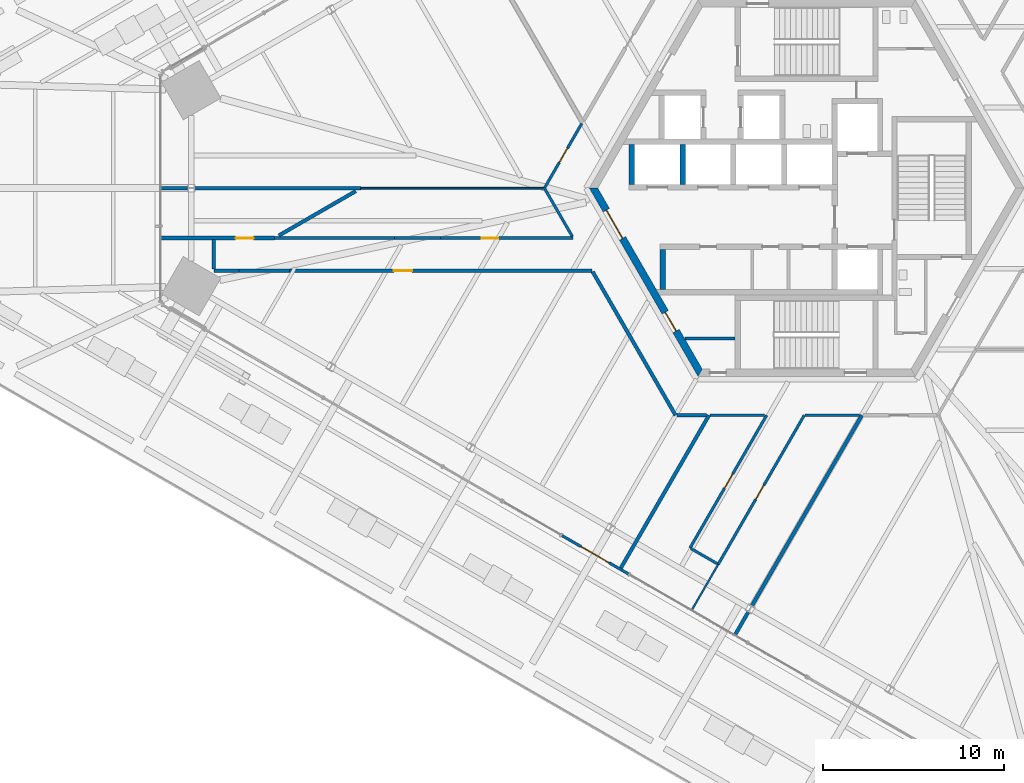
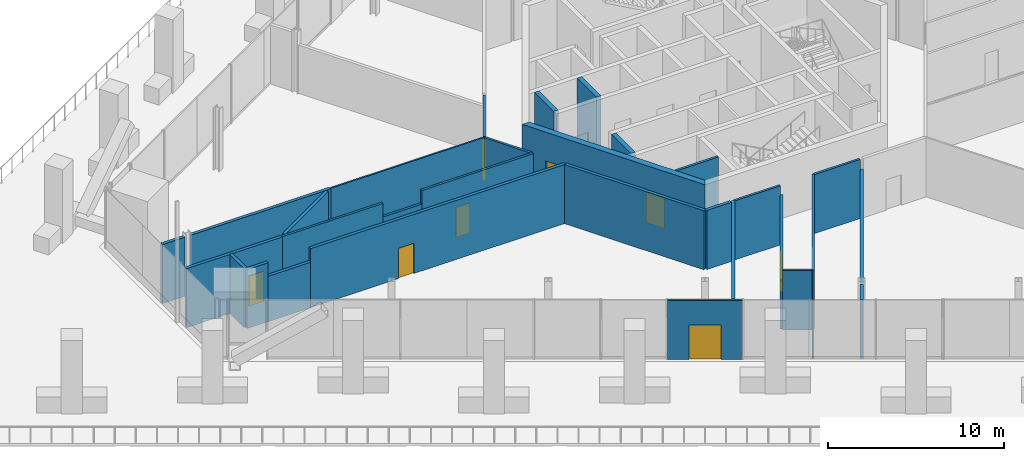
# One storey, part 26 of 38: 31 walls, 9 doors, 9 openings.
"""IFC4 building model written with IfcOpenShell, lengths in metres."""

from ifc_helpers import new_model, si_unit, direction, frame, frame_2d, origin, place, context, subcontext, project, spatial, polyline, rectangle, outline, extrude, source, transform, mapped, material, layer, layer_set, type_object, element, fill, save


model = new_model("IFC4")

# Units and contexts
model_context = context("Model", 3, precision=1e-05, world=origin(), true_north=direction((0.0, 1.0)))
body_context = subcontext(model_context, "Body", "Model", "MODEL_VIEW")
ifc_project = project(units=[si_unit("LENGTHUNIT", "METRE"), si_unit("AREAUNIT", "SQUARE_METRE"), si_unit("VOLUMEUNIT", "CUBIC_METRE"), si_unit("PLANEANGLEUNIT", "RADIAN"), si_unit("MASSUNIT", "GRAM", prefix="KILO")], contexts=[model_context])

# Site, building, storey
site_placement = place(None, origin())
site = spatial("IfcSite", under=ifc_project, at=site_placement, CompositionType="ELEMENT")
building_placement = place(site_placement, origin())
building = spatial("IfcBuilding", under=site, at=building_placement, Name="Triune Harvest Tower", CompositionType="ELEMENT")
storey_placement = place(building_placement, frame((0.0, 0.0, 16.0)))
storey = spatial("IfcBuildingStorey", under=building, at=storey_placement, Name="L03", CompositionType="ELEMENT", Elevation=16.0)

# Walls
ifc_material_1 = material(Name="Concrete masonry unit", Category="masonry")
ifc_layer_1 = layer(ifc_material_1, 0.14990234375)
ifc_layer_set_1 = layer_set([ifc_layer_1], Name="Concrete masonry unit")
wall_type_1 = type_object("IfcWallType", Name="Block partition 150", PredefinedType="PARTITIONING", material=ifc_layer_set_1)
wall_1_placement = place(storey_placement, frame((-6.72705078125, -8.300048828125, 0.0), z_axis=(0.0, 0.0, 1.0), x_axis=(1.0, 0.0, 0.0)))
element("IfcWall", 1, at=wall_1_placement, inside=storey, type_object=wall_type_1, Name="Sw part wall", PredefinedType="PARTITIONING", context=body_context, shape_type="SweptSolid", body=[
    extrude(rectangle(XDim=2.777099609375, YDim=0.14990234375, at=frame_2d((1.388671875, 0.0))), origin(), (0.0, 0.0, 1.0), 4.10009765625),
])
ifc_material_2 = material(Name="Gypsum board on steel studs", Category="steel")
ifc_layer_2 = layer(ifc_material_2, 0.14990234375)
ifc_layer_set_2 = layer_set([ifc_layer_2], Name="Gypsum board on steel studs")
wall_type_2 = type_object("IfcWallType", Name="Fire Partition 150 mm", PredefinedType="PARTITIONING", material=ifc_layer_set_2)
wall_2_placement = place(storey_placement, frame((-14.45751953125, -0.043212890625, 0.0), z_axis=(0.0, 0.0, 1.0), x_axis=(0.499971948444, -0.866041598752, 0.0)))
element("IfcWall", 2, at=wall_2_placement, inside=storey, type_object=wall_type_2, Name="Partition L03 001", PredefinedType="PARTITIONING", context=body_context, shape_type="SweptSolid", body=[
    extrude(rectangle(XDim=3.021240234375, YDim=0.14990234375, at=frame_2d((1.5107421875, 0.0))), origin(), (0.0, 0.0, 1.0), 4.10009765625),
])
wall_3_placement = place(storey_placement, frame((-6.39990234375, -19.89501953125, 0.0), z_axis=(0.0, 0.0, 1.0), x_axis=(0.866038843867, -0.499976720371, 0.0)))
element("IfcWall", 3, at=wall_3_placement, inside=storey, type_object=wall_type_2, Name="Partition L03 017", PredefinedType="PARTITIONING", context=body_context, shape_type="SweptSolid", body=[
    extrude(rectangle(XDim=1.68994140625, YDim=0.14990234375, at=frame_2d((0.844970703125, 0.0))), origin(), (0.0, 0.0, 1.0), 4.10009765625),
])
wall_4_placement = place(storey_placement, frame((-29.384033203125, -2.7548828125, 0.0), z_axis=(0.0, 0.0, 1.0), x_axis=(1.0, 0.0, 0.0)))
element("IfcWall", 4, at=wall_4_placement, inside=storey, type_object=wall_type_2, Name="Partition L03 030", PredefinedType="PARTITIONING", context=body_context, shape_type="SweptSolid", body=[
    extrude(rectangle(XDim=6.62109375, YDim=0.14990234375, at=frame_2d((3.310546875, 0.0))), origin(), (0.0, 0.0, 1.0), 4.10009765625),
])

# Wall, opening, door
wall_5_placement = place(storey_placement, frame((-20.210205078125, -2.7548828125, 0.0), z_axis=(0.0, 0.0, 1.0), x_axis=(1.0, 0.0, 0.0)))
wall_5 = element("IfcWall", 5, at=wall_5_placement, inside=storey, type_object=wall_type_2, Name="Partition L03 030b", PredefinedType="PARTITIONING", context=body_context, shape_type="SweptSolid", body=[
    extrude(rectangle(XDim=7.318115234375, YDim=0.14990234375, at=frame_2d((3.6591796875, 0.0))), origin(), (0.0, 0.0, 1.0), 4.10009765625),
])
opening_1_placement = place(wall_5_placement, frame((2.268310546875, 0.0, 0.0)))
opening_1 = element("IfcOpeningElement", 6, at=opening_1_placement, cuts=wall_5, Name="Opening L03-016", PredefinedType="OPENING", context=body_context, shape_type="SweptSolid", body=[
    extrude(rectangle(XDim=0.89990234375, YDim=2.10009765625, at=frame_2d((0.449951171875, 1.050048828125))), frame((0.0, 0.0849609375, 0.0), z_axis=(0.0, -1.0, 0.0), x_axis=(1.0, 0.0, 0.0)), (0.0, 0.0, 1.0), 0.169921875),
])
ifc_material_3 = material(Name="Timber and steel door set", Category="steel")
door_type_1 = type_object("IfcDoorType", Name="Single leaf door FD30 right hand 900 x 2100", OperationType="SINGLE_SWING_RIGHT", PredefinedType="DOOR", material=ifc_material_3)
door_1_placement = place(opening_1_placement, origin())
door_1 = element("IfcDoor", 7, at=door_1_placement, inside=storey, type_object=door_type_1, Name="Door L03-016 Dry Store Room 03.16", OperationType="SINGLE_SWING_RIGHT", OverallHeight=2.10009765625, OverallWidth=0.89990234375, PredefinedType="DOOR", context=body_context, shape_type="SweptSolid", body=[
    extrude(rectangle(XDim=0.89990234375, YDim=2.10009765625, at=frame_2d((0.449951171875, 1.050048828125))), frame((0.0, 0.02490234375, 0.0), z_axis=(0.0, -1.0, 0.0), x_axis=(1.0, 0.0, 0.0)), (0.0, 0.0, 1.0), 0.050048828125),
])
fill(opening_1, door_1)

wall_6_placement = place(storey_placement, frame((-4.884521484375, -20.77001953125, 0.0), z_axis=(0.0, 0.0, 1.0), x_axis=(0.499994576128, 0.866028535236, 0.0)))
wall_6 = element("IfcWall", 8, at=wall_6_placement, inside=storey, type_object=wall_type_2, Name="Partition L03 048", PredefinedType="PARTITIONING", context=body_context, shape_type="SweptSolid", body=[
    extrude(rectangle(XDim=9.50048828125, YDim=0.14990234375, at=frame_2d((4.750244140625, 0.0))), origin(), (0.0, 0.0, 1.0), 4.10009765625),
])
opening_2_placement = place(wall_6_placement, frame((4.139892578125, 0.0, 0.0)))
opening_2 = element("IfcOpeningElement", 9, at=opening_2_placement, cuts=wall_6, Name="Opening L03-019", PredefinedType="OPENING", context=body_context, shape_type="SweptSolid", body=[
    extrude(rectangle(XDim=0.89990234375, YDim=2.10009765625, at=frame_2d((0.449951171875, 1.050048828125))), frame((0.0, 0.0849609375, 0.0), z_axis=(0.0, -1.0, 0.0), x_axis=(1.0, 0.0, 0.0)), (0.0, 0.0, 1.0), 0.169921875),
])
door_2_placement = place(opening_2_placement, origin())
door_2 = element("IfcDoor", 10, at=door_2_placement, inside=storey, type_object=door_type_1, Name="Door L03-019 Packing Room 03.19", OperationType="SINGLE_SWING_RIGHT", OverallHeight=2.10009765625, OverallWidth=0.89990234375, PredefinedType="DOOR", context=body_context, shape_type="SweptSolid", body=[
    extrude(rectangle(XDim=0.89990234375, YDim=2.10009765625, at=frame_2d((0.449951171875, 1.050048828125))), frame((0.0, 0.02490234375, 0.0), z_axis=(0.0, -1.0, 0.0), x_axis=(1.0, 0.0, 0.0)), (0.0, 0.0, 1.0), 0.050048828125),
])
fill(opening_2, door_2)

wall_7_placement = place(storey_placement, frame((-6.44384765625, -19.86962890625, 0.0), z_axis=(0.0, 0.0, 1.0), x_axis=(0.500008851346, 0.866020293397, 0.0)))
wall_7 = element("IfcWall", 11, at=wall_7_placement, inside=storey, type_object=wall_type_2, Name="Partition L03 050", PredefinedType="PARTITIONING", context=body_context, shape_type="SweptSolid", body=[
    extrude(rectangle(XDim=8.461181640625, YDim=0.14990234375, at=frame_2d((4.23046875, 0.0))), origin(), (0.0, 0.0, 1.0), 3.416748046875),
])
opening_3_placement = place(wall_7_placement, frame((3.811279296875, 0.0, 0.0)))
opening_3 = element("IfcOpeningElement", 12, at=opening_3_placement, cuts=wall_7, Name="Opening L03-018", PredefinedType="OPENING", context=body_context, shape_type="SweptSolid", body=[
    extrude(rectangle(XDim=0.89990234375, YDim=2.10009765625, at=frame_2d((0.449951171875, 1.050048828125))), frame((0.0, 0.0849609375, 0.0), z_axis=(0.0, -1.0, 0.0), x_axis=(1.0, 0.0, 0.0)), (0.0, 0.0, 1.0), 0.169921875),
])
door_3_placement = place(opening_3_placement, origin())
door_3 = element("IfcDoor", 13, at=door_3_placement, inside=storey, type_object=door_type_1, Name="Door L03-018 Dry Store Room 03.18", OperationType="SINGLE_SWING_RIGHT", OverallHeight=2.10009765625, OverallWidth=0.89990234375, PredefinedType="DOOR", context=body_context, shape_type="SweptSolid", body=[
    extrude(rectangle(XDim=0.89990234375, YDim=2.10009765625, at=frame_2d((0.449951171875, 1.050048828125))), frame((0.0, 0.02490234375, 0.0), z_axis=(0.0, -1.0, 0.0), x_axis=(1.0, 0.0, 0.0)), (0.0, 0.0, 1.0), 0.050048828125),
])
fill(opening_3, door_3)

wall_8_placement = place(storey_placement, frame((-14.47265625, 0.01708984375, 0.0), z_axis=(0.0, 0.0, 1.0), x_axis=(0.500022314862, 0.866012519909, 0.0)))
wall_8 = element("IfcWall", 14, at=wall_8_placement, inside=storey, type_object=wall_type_2, Name="Partition L03 057", PredefinedType="PARTITIONING", context=body_context, shape_type="SweptSolid", body=[
    extrude(rectangle(XDim=4.111083984375, YDim=0.14990234375, at=frame_2d((2.0556640625, 0.0))), origin(), (0.0, 0.0, 1.0), 4.10009765625),
])
opening_4_placement = place(wall_8_placement, frame((1.62451171875, 0.0, 0.0)))
opening_4 = element("IfcOpeningElement", 15, at=opening_4_placement, cuts=wall_8, Name="Opening L03-014", PredefinedType="OPENING", context=body_context, shape_type="SweptSolid", body=[
    extrude(rectangle(XDim=0.89990234375, YDim=2.10009765625, at=frame_2d((0.449951171875, 1.050048828125))), frame((0.0, 0.0849609375, 0.0), z_axis=(0.0, -1.0, 0.0), x_axis=(1.0, 0.0, 0.0)), (0.0, 0.0, 1.0), 0.169921875),
])
ifc_material_4 = material(Name="Timber and steel door set", Category="steel")
door_type_2 = type_object("IfcDoorType", Name="Single leaf door FD30 left hand 900 x 2100", OperationType="SINGLE_SWING_LEFT", PredefinedType="DOOR", material=ifc_material_4)
door_4_placement = place(opening_4_placement, origin())
door_4 = element("IfcDoor", 16, at=door_4_placement, inside=storey, type_object=door_type_2, Name="Door L03-014 Cold Store 03.14", OperationType="SINGLE_SWING_LEFT", OverallHeight=2.10009765625, OverallWidth=0.89990234375, PredefinedType="DOOR", context=body_context, shape_type="SweptSolid", body=[
    extrude(rectangle(XDim=0.89990234375, YDim=2.10009765625, at=frame_2d((0.449951171875, 1.050048828125))), frame((0.0, 0.02490234375, 0.0), z_axis=(0.0, -1.0, 0.0), x_axis=(1.0, 0.0, 0.0)), (0.0, 0.0, 1.0), 0.050048828125),
])
fill(opening_4, door_4)

# Walls
ifc_material_5 = material(Name="Gypsum board on steel studs", Category="steel")
ifc_layer_3 = layer(ifc_material_5, 0.199951171875)
ifc_layer_set_3 = layer_set([ifc_layer_3], Name="Gypsum board on steel studs")
wall_type_3 = type_object("IfcWallType", Name="Fire Wall 200 mm", PredefinedType="PARTITIONING", material=ifc_layer_set_3)
wall_9_placement = place(storey_placement, frame((-11.81787109375, -4.615478515625, 0.0), z_axis=(0.0, 0.0, 1.0), x_axis=(0.500011831956, -0.866018572493, 0.0)))
element("IfcWall", 17, at=wall_9_placement, inside=storey, type_object=wall_type_3, Name="Partition L03 002", PredefinedType="PARTITIONING", context=body_context, shape_type="SweptSolid", body=[
    extrude(rectangle(XDim=9.153076171875, YDim=0.199951171875, at=frame_2d((4.57666015625, 0.0))), origin(), (0.0, 0.0, 1.0), 4.10009765625),
])
wall_10_placement = place(storey_placement, frame((-7.17138671875, -12.542236328125, 0.0), z_axis=(0.0, 0.0, 1.0), x_axis=(1.0, 0.0, 0.0)))
element("IfcWall", 18, at=wall_10_placement, inside=storey, type_object=wall_type_3, Name="Partition L03 021", PredefinedType="PARTITIONING", context=body_context, shape_type="SweptSolid", body=[
    extrude(rectangle(XDim=1.631103515625, YDim=0.199951171875, at=frame_2d((0.8154296875, 0.0))), origin(), (0.0, 0.0, 1.0), 4.10009765625),
])
wall_11_placement = place(storey_placement, frame((-32.738525390625, -4.554931640625, 0.0), z_axis=(0.0, 0.0, 1.0), x_axis=(1.0, 0.0, 0.0)))
element("IfcWall", 19, at=wall_11_placement, inside=storey, type_object=wall_type_3, Name="Partition L03 027", PredefinedType="PARTITIONING", context=body_context, shape_type="SweptSolid", body=[
    extrude(rectangle(XDim=1.3818359375, YDim=0.199951171875, at=frame_2d((0.69091796875, 0.0))), origin(), (0.0, 0.0, 1.0), 4.10009765625),
])
wall_12_placement = place(storey_placement, frame((-31.356689453125, -4.554931640625, 0.0), z_axis=(0.0, 0.0, 1.0), x_axis=(1.0, 0.0, 0.0)))
element("IfcWall", 20, at=wall_12_placement, inside=storey, type_object=wall_type_3, Name="Partition L03 027a", PredefinedType="PARTITIONING", context=body_context, shape_type="SweptSolid", body=[
    extrude(rectangle(XDim=2.7880859375, YDim=0.199951171875, at=frame_2d((1.39404296875, 0.0))), origin(), (0.0, 0.0, 1.0), 3.15771484375),
])

# Wall, opening, door
wall_13_placement = place(storey_placement, frame((-28.568603515625, -4.554931640625, 0.0), z_axis=(0.0, 0.0, 1.0), x_axis=(1.0, 0.0, 0.0)))
wall_13 = element("IfcWall", 21, at=wall_13_placement, inside=storey, type_object=wall_type_3, Name="Partition L03 027b", PredefinedType="PARTITIONING", context=body_context, shape_type="SweptSolid", body=[
    extrude(rectangle(XDim=16.7158203125, YDim=0.199951171875, at=frame_2d((8.35791015625, 0.0))), origin(), (0.0, 0.0, 1.0), 4.10009765625),
])
opening_5_placement = place(wall_13_placement, frame((5.77880859375, 0.0, 0.0)))
opening_5 = element("IfcOpeningElement", 22, at=opening_5_placement, cuts=wall_13, Name="Opening L03-017", PredefinedType="OPENING", context=body_context, shape_type="SweptSolid", body=[
    extrude(rectangle(XDim=1.0, YDim=2.10009765625, at=frame_2d((0.5, 1.050048828125))), frame((0.0, 0.10986328125, 0.0), z_axis=(0.0, -1.0, 0.0), x_axis=(1.0, 0.0, 0.0)), (0.0, 0.0, 1.0), 0.219970703125),
])
ifc_material_6 = material(Name="Timber and steel door set", Category="steel")
door_type_3 = type_object("IfcDoorType", Name="Wide single leaf door FD60 left hand 1000 x 2100", OperationType="SINGLE_SWING_LEFT", PredefinedType="DOOR", material=ifc_material_6)
door_5_placement = place(opening_5_placement, origin())
door_5 = element("IfcDoor", 23, at=door_5_placement, inside=storey, type_object=door_type_3, Name="Door L03-017 Growing Room 03.17", OperationType="SINGLE_SWING_LEFT", OverallHeight=2.10009765625, OverallWidth=1.0, PredefinedType="DOOR", context=body_context, shape_type="SweptSolid", body=[
    extrude(rectangle(XDim=1.0, YDim=2.10009765625, at=frame_2d((0.5, 1.050048828125))), frame((0.0, 0.02490234375, 0.0), z_axis=(0.0, -1.0, 0.0), x_axis=(1.0, 0.0, 0.0)), (0.0, 0.0, 1.0), 0.050048828125),
])
fill(opening_5, door_5)

wall_14_placement = place(storey_placement, frame((-35.680419921875, -2.7548828125, 0.0), z_axis=(0.0, 0.0, 1.0), x_axis=(1.0, 0.0, 0.0)))
wall_14 = element("IfcWall", 24, at=wall_14_placement, inside=storey, type_object=wall_type_3, Name="Partition L03 029", PredefinedType="PARTITIONING", context=body_context, shape_type="SweptSolid", body=[
    extrude(rectangle(XDim=6.29638671875, YDim=0.199951171875, at=frame_2d((3.148193359375, 0.0))), origin(), (0.0, 0.0, 1.0), 4.10009765625),
])
opening_6_placement = place(wall_14_placement, frame((4.140380859375, 0.0, 0.0)))
opening_6 = element("IfcOpeningElement", 25, at=opening_6_placement, cuts=wall_14, Name="Opening L03-015", PredefinedType="OPENING", context=body_context, shape_type="SweptSolid", body=[
    extrude(rectangle(XDim=1.0, YDim=2.10009765625, at=frame_2d((0.5, 1.050048828125))), frame((0.0, 0.10986328125, 0.0), z_axis=(0.0, -1.0, 0.0), x_axis=(1.0, 0.0, 0.0)), (0.0, 0.0, 1.0), 0.219970703125),
])
ifc_material_7 = material(Name="Timber and steel door set", Category="steel")
door_type_4 = type_object("IfcDoorType", Name="Wide single leaf door FD60 right hand 1000 x 2100", OperationType="SINGLE_SWING_RIGHT", PredefinedType="DOOR", material=ifc_material_7)
door_6_placement = place(opening_6_placement, origin())
door_6 = element("IfcDoor", 26, at=door_6_placement, inside=storey, type_object=door_type_4, Name="Door L03-015 Growing Room 03.15", OperationType="SINGLE_SWING_RIGHT", OverallHeight=2.10009765625, OverallWidth=1.0, PredefinedType="DOOR", context=body_context, shape_type="SweptSolid", body=[
    extrude(rectangle(XDim=1.0, YDim=2.10009765625, at=frame_2d((0.5, 1.050048828125))), frame((0.0, 0.02490234375, 0.0), z_axis=(0.0, -1.0, 0.0), x_axis=(1.0, 0.0, 0.0)), (0.0, 0.0, 1.0), 0.050048828125),
])
fill(opening_6, door_6)

# Walls
wall_15_placement = place(storey_placement, frame((-33.79541015625, 0.0, 0.0), z_axis=(0.0, 0.0, 1.0), x_axis=(1.0, 0.0, 0.0)))
element("IfcWall", 27, at=wall_15_placement, inside=storey, type_object=wall_type_3, Name="Partition L03 034", PredefinedType="PARTITIONING", context=body_context, shape_type="SweptSolid", body=[
    extrude(rectangle(XDim=9.17724609375, YDim=0.199951171875, at=frame_2d((4.588623046875, 0.0))), origin(), (0.0, 0.0, 1.0), 4.10009765625),
])
wall_16_placement = place(storey_placement, frame((-29.147705078125, -2.614990234375, 0.0), z_axis=(0.0, 0.0, 1.0), x_axis=(0.866023786258, 0.500002801628, 0.0)))
element("IfcWall", 28, at=wall_16_placement, inside=storey, type_object=wall_type_3, Name="Partition L03 041", PredefinedType="PARTITIONING", context=body_context, shape_type="SweptSolid", body=[
    extrude(rectangle(XDim=4.89990234375, YDim=0.199951171875, at=frame_2d((2.449951171875, 0.0))), origin(), (0.0, 0.0, 1.0), 4.10009765625),
])
wall_17_placement = place(storey_placement, frame((-32.738525390625, -4.47509765625, 0.0), z_axis=(0.0, 0.0, 1.0), x_axis=(0.0, 1.0, 0.0)))
element("IfcWall", 29, at=wall_17_placement, inside=storey, type_object=wall_type_3, Name="Partition L03 063", PredefinedType="PARTITIONING", context=body_context, shape_type="SweptSolid", body=[
    extrude(rectangle(XDim=1.64013671875, YDim=0.199951171875, at=frame_2d((0.820068359375, 0.0))), origin(), (0.0, 0.0, 1.0), 4.10009765625),
])
ifc_material_8 = material(Name="Gypsum board on steel studs", Category="steel")
ifc_layer_4 = layer(ifc_material_8, 0.10009765625)
ifc_layer_set_4 = layer_set([ifc_layer_4], Name="Gypsum board on steel studs")
wall_type_4 = type_object("IfcWallType", Name="Partition 100 mm", PredefinedType="PARTITIONING", material=ifc_layer_set_4)
wall_18_placement = place(storey_placement, frame((-24.6181640625, 0.0, 0.0), z_axis=(0.0, 0.0, 1.0), x_axis=(1.0, 0.0, 0.0)))
element("IfcWall", 30, at=wall_18_placement, inside=storey, type_object=wall_type_4, Name="Partition L03 035", PredefinedType="PARTITIONING", context=body_context, shape_type="SweptSolid", body=[
    extrude(rectangle(XDim=10.135498046875, YDim=0.10009765625, at=frame_2d((5.06787109375, 0.0))), origin(), (0.0, 0.0, 1.0), 4.10009765625),
])

# Wall, openings, doors
ifc_material_9 = material(Name="Concrete 70 MPa", Category="concrete")
ifc_layer_5 = layer(ifc_material_9, 0.39990234375)
ifc_layer_set_5 = layer_set([ifc_layer_5], Name="Concrete 70 MPa")
wall_type_5 = type_object("IfcWallType", Name="Core wall 400", PredefinedType="SHEAR", material=ifc_layer_set_5)
shared_shape_1 = source(origin(), body_context, "Body", "SweptSolid", [
    extrude(outline(polyline([(-0.115478515625, -0.199951171875), (11.884521484375, -0.199951171875), (11.653564453125, 0.199951171875), (0.115478515625, 0.199951171875), (-0.115478515625, -0.199951171875)])), origin(), (0.0, 0.0, 1.0), 4.10009765625),
])
wall_19_placement = place(storey_placement, frame((-11.76904296875, 0.0, 0.0), z_axis=(0.0, 0.0, 1.0), x_axis=(0.499996592174, -0.866027371285, 0.0)))
wall_19 = element("IfcWall", 31, at=wall_19_placement, inside=storey, type_object=wall_type_5, Name="Hexagon 3 wall", PredefinedType="SHEAR", context=body_context, shape_type="MappedRepresentation", body=[
    mapped(shared_shape_1, transform((0.0, 0.0, 0.0), scale=1.0)),
])
opening_7_placement = place(wall_19_placement, frame((1.404541015625, 0.0, 0.0)))
opening_7 = element("IfcOpeningElement", 32, at=opening_7_placement, cuts=wall_19, Name="Opening CD-LS", PredefinedType="OPENING", context=body_context, shape_type="SweptSolid", body=[
    extrude(rectangle(XDim=1.800048828125, YDim=2.10009765625, at=frame_2d((0.89990234375, 1.050048828125))), frame((0.0, 0.2099609375, 0.0), z_axis=(0.0, -1.0, 0.0), x_axis=(1.0, 0.0, 0.0)), (0.0, 0.0, 1.0), 0.419921875),
])
opening_8_placement = place(wall_19_placement, frame((7.91455078125, 0.0, 0.0)))
opening_8 = element("IfcOpeningElement", 33, at=opening_8_placement, cuts=wall_19, Name="Opening CD-SWP", PredefinedType="OPENING", context=body_context, shape_type="SweptSolid", body=[
    extrude(rectangle(XDim=1.199951171875, YDim=2.10009765625, at=frame_2d((0.60009765625, 1.050048828125))), frame((0.0, 0.2099609375, 0.0), z_axis=(0.0, -1.0, 0.0), x_axis=(1.0, 0.0, 0.0)), (0.0, 0.0, 1.0), 0.419921875),
])
ifc_material_10 = material(Name="Steel S235", Category="steel")
door_type_5 = type_object("IfcDoorType", Name="Lobby door 1800 FD120", OperationType="DOUBLE_DOOR_DOUBLE_SWING", PredefinedType="DOOR", material=ifc_material_10)
door_7_placement = place(opening_7_placement, frame((1.800048828125, 0.0, 0.0), z_axis=(0.0, 0.0, 1.0), x_axis=(-1.0, 0.0, 0.0)))
door_7 = element("IfcDoor", 34, at=door_7_placement, inside=storey, type_object=door_type_5, Name="Door CD-LS", OperationType="DOUBLE_DOOR_DOUBLE_SWING", OverallHeight=2.10009765625, OverallWidth=1.800048828125, PredefinedType="DOOR", context=body_context, shape_type="SweptSolid", body=[
    extrude(rectangle(XDim=1.800048828125, YDim=2.10009765625, at=frame_2d((0.89990234375, 1.050048828125))), frame((0.0, 0.02490234375, 0.0), z_axis=(0.0, -1.0, 0.0), x_axis=(1.0, 0.0, 0.0)), (0.0, 0.0, 1.0), 0.050048828125),
])
fill(opening_7, door_7)
ifc_material_11 = material(Name="Steel S235", Category="steel")
door_type_6 = type_object("IfcDoorType", Name="Service door 1200 FD120", OperationType="SINGLE_SWING_LEFT", PredefinedType="DOOR", material=ifc_material_11)
door_8_placement = place(opening_8_placement, frame((1.199951171875, 0.0, 0.0), z_axis=(0.0, 0.0, 1.0), x_axis=(-1.0, 0.0, 0.0)))
door_8 = element("IfcDoor", 35, at=door_8_placement, inside=storey, type_object=door_type_6, Name="Door CD-SWP", OperationType="SINGLE_SWING_RIGHT", OverallHeight=2.10009765625, OverallWidth=1.199951171875, PredefinedType="DOOR", context=body_context, shape_type="SweptSolid", body=[
    extrude(rectangle(XDim=1.199951171875, YDim=2.10009765625, at=frame_2d((0.60009765625, 1.050048828125))), frame((0.0, 0.02490234375, 0.0), z_axis=(0.0, -1.0, 0.0), x_axis=(1.0, 0.0, 0.0)), (0.0, 0.0, 1.0), 0.050048828125),
])
fill(opening_8, door_8)

# Walls
ifc_material_12 = material(Name="Concrete 70 MPa", Category="concrete")
ifc_layer_6 = layer(ifc_material_12, 0.300048828125)
ifc_layer_set_6 = layer_set([ifc_layer_6], Name="Concrete 70 MPa")
wall_type_6 = type_object("IfcWallType", Name="Core wall 300", PredefinedType="SHEAR", material=ifc_layer_set_6)
shared_shape_2 = source(origin(), body_context, "Body", "SweptSolid", [
    extrude(rectangle(XDim=2.2001953125, YDim=0.300048828125, at=frame_2d((1.10009765625, 0.0))), origin(), (0.0, 0.0, 1.0), 4.10009765625),
])
wall_20_placement = place(storey_placement, frame((-7.949951171875, -5.590087890625, 0.0), z_axis=(0.0, 0.0, 1.0), x_axis=(0.0, 1.0, 0.0)))
element("IfcWall", 36, at=wall_20_placement, inside=storey, type_object=wall_type_6, Name="South end west wall", PredefinedType="SHEAR", context=body_context, shape_type="MappedRepresentation", body=[
    mapped(shared_shape_2, transform((0.0, 0.0, 0.0), scale=1.0)),
])
shared_shape_3 = source(origin(), body_context, "Body", "SweptSolid", [
    extrude(rectangle(XDim=2.199951171875, YDim=0.300048828125, at=frame_2d((1.10009765625, 0.0))), origin(), (0.0, 0.0, 1.0), 4.10009765625),
])
for number, where, z_axis, x_axis, name in (
    (37, (-9.64990234375, 0.2099609375, 0.0), (0.0, 0.0, 1.0), (0.0, 1.0, 0.0), "North end west wall"),
    (38, (-6.85009765625, 0.2099609375, 0.0), (0.0, 0.0, 1.0), (0.0, 1.0, 0.0), "North cross 1 wall"),
):
    element("IfcWall", number, at=place(storey_placement, frame(where, z_axis=z_axis, x_axis=x_axis)), inside=storey, type_object=wall_type_6, Name=name, PredefinedType="SHEAR", context=body_context, shape_type="MappedRepresentation", body=[
        mapped(shared_shape_3, transform((0.0, 0.0, 0.0), scale=1.0)),
    ])

# Wall, opening, door
ifc_material_13 = material(Name="Aluminium bronze anodised", Category="aluminium")
ifc_layer_7 = layer(ifc_material_13, 0.14990234375)
ifc_layer_set_7 = layer_set([ifc_layer_7], Name="Aluminium bronze anodised")
wall_type_7 = type_object("IfcWallType", Name="WW-2 balcony window wall", PredefinedType="ELEMENTEDWALL", material=ifc_layer_set_7)
shared_shape_4 = source(origin(), body_context, "Body", "SweptSolid", [
    extrude(rectangle(XDim=4.2626953125, YDim=0.14990234375, at=frame_2d((2.13134765625, 0.0))), origin(), (0.0, 0.0, 1.0), 4.10009765625),
])
wall_21_placement = place(storey_placement, frame((-9.83984375, -21.305908203125, 0.0), z_axis=(0.0, 0.0, 1.0), x_axis=(-0.8660282166, 0.499995128029, 0.0)))
wall_21 = element("IfcWall", 39, at=wall_21_placement, inside=storey, type_object=wall_type_7, Name="WW-2 B1-F5 L03.7", PredefinedType="ELEMENTEDWALL", context=body_context, shape_type="MappedRepresentation", body=[
    mapped(shared_shape_4, transform((0.0, 0.0, 0.0), scale=1.0)),
])
opening_9_placement = place(wall_21_placement, frame((1.231201171875, 0.0, 0.0)))
opening_9 = element("IfcOpeningElement", 40, at=opening_9_placement, cuts=wall_21, Name="Opening L03-E03", PredefinedType="OPENING", context=body_context, shape_type="SweptSolid", body=[
    extrude(rectangle(XDim=1.800048828125, YDim=2.39990234375, at=frame_2d((0.89990234375, 1.199951171875))), frame((0.0, 0.0849609375, 0.0), z_axis=(0.0, -1.0, 0.0), x_axis=(1.0, 0.0, 0.0)), (0.0, 0.0, 1.0), 0.169921875),
])
ifc_material_14 = material(Name="Glass", Category="glass")
door_type_7 = type_object("IfcDoorType", Name="DB-1 balcony door 1800 x 2400", OperationType="DOUBLE_DOOR_SINGLE_SWING", PredefinedType="DOOR", material=ifc_material_14)
door_9_placement = place(opening_9_placement, origin())
door_9 = element("IfcDoor", 41, at=door_9_placement, inside=storey, type_object=door_type_7, Name="Door L03-E03", OperationType="DOUBLE_DOOR_SINGLE_SWING", OverallHeight=2.39990234375, OverallWidth=1.800048828125, PredefinedType="DOOR", context=body_context, shape_type="SweptSolid", body=[
    extrude(rectangle(XDim=1.800048828125, YDim=2.39990234375, at=frame_2d((0.89990234375, 1.199951171875))), frame((0.0, 0.02490234375, 0.0), z_axis=(0.0, -1.0, 0.0), x_axis=(1.0, 0.0, 0.0)), (0.0, 0.0, 1.0), 0.050048828125),
])
fill(opening_9, door_9)

# Walls
shared_shape_5 = source(origin(), body_context, "Body", "SweptSolid", [
    extrude(rectangle(XDim=1.49853515625, YDim=0.199951171875, at=frame_2d((0.749267578125, 0.0))), origin(), (0.0, 0.0, 1.0), 4.10009765625),
])
wall_22_placement = place(storey_placement, frame((-35.680419921875, 0.0, 0.0), z_axis=(0.0, 0.0, 1.0), x_axis=(1.0, 0.0, 0.0)))
element("IfcWall", 42, at=wall_22_placement, inside=storey, type_object=wall_type_3, Name="Partition L03 033", PredefinedType="PARTITIONING", context=body_context, shape_type="MappedRepresentation", body=[
    mapped(shared_shape_5, transform((0.0, 0.0, 0.0), scale=1.0)),
])
shared_shape_6 = source(origin(), body_context, "Body", "SweptSolid", [
    extrude(rectangle(XDim=9.812744140625, YDim=0.199951171875, at=frame_2d((4.90625, 0.0))), origin(), (0.0, 0.0, 1.0), 4.10009765625),
])
wall_23_placement = place(storey_placement, frame((-10.300048828125, -21.040283203125, 0.0), z_axis=(0.0, 0.0, 1.0), x_axis=(0.49999238347, 0.866029801145, 0.0)))
element("IfcWall", 43, at=wall_23_placement, inside=storey, type_object=wall_type_3, Name="Partition L03 055", PredefinedType="PARTITIONING", context=body_context, shape_type="MappedRepresentation", body=[
    mapped(shared_shape_6, transform((0.0, 0.0, 0.0), scale=1.0)),
])
shared_shape_7 = source(origin(), body_context, "Body", "SweptSolid", [
    extrude(rectangle(XDim=1.498779296875, YDim=0.199951171875, at=frame_2d((0.74951171875, 0.0))), origin(), (0.0, 0.0, 1.0), 4.10009765625),
])
wall_24_placement = place(storey_placement, frame((-3.969482421875, -24.6953125, 0.0), z_axis=(0.0, 0.0, 1.0), x_axis=(0.499905760005, 0.866079806435, 0.0)))
element("IfcWall", 44, at=wall_24_placement, inside=storey, type_object=wall_type_3, Name="Partition L03 045", PredefinedType="PARTITIONING", context=body_context, shape_type="MappedRepresentation", body=[
    mapped(shared_shape_7, transform((0.0, 0.0, 0.0), scale=1.0)),
])
shared_shape_8 = source(origin(), body_context, "Body", "SweptSolid", [
    extrude(rectangle(XDim=12.14794921875, YDim=0.199951171875, at=frame_2d((6.073974609375, 0.0))), origin(), (0.0, 0.0, 1.0), 3.343017578125),
])
wall_25_placement = place(storey_placement, frame((-3.02685546875, -23.062744140625, 0.0), z_axis=(0.0, 0.0, 1.0), x_axis=(0.499997320042, 0.866026951053, 0.0)))
element("IfcWall", 45, at=wall_25_placement, inside=storey, type_object=wall_type_3, Name="Partition L03 046", PredefinedType="PARTITIONING", context=body_context, shape_type="MappedRepresentation", body=[
    mapped(shared_shape_8, transform((0.0, 0.0, 0.0), scale=1.0)),
])
shared_shape_9 = source(origin(), body_context, "Body", "SweptSolid", [
    extrude(rectangle(XDim=3.0078125, YDim=0.14990234375, at=frame_2d((1.50390625, 0.0))), origin(), (0.0, 0.0, 1.0), 4.10009765625),
])
for number, where, z_axis, x_axis, name in (
    (46, (-5.330322265625, -12.542236328125, 0.0), (0.0, 0.0, 1.0), (1.0, 0.0, 0.0), "Partition L03 022"),
    (47, (-0.09423828125, -12.542236328125, 0.0), (0.0, 0.0, 1.0), (1.0, 0.0, 0.0), "Partition L03 023"),
):
    element("IfcWall", number, at=place(storey_placement, frame(where, z_axis=z_axis, x_axis=x_axis)), inside=storey, type_object=wall_type_2, Name=name, PredefinedType="PARTITIONING", context=body_context, shape_type="MappedRepresentation", body=[
        mapped(shared_shape_9, transform((0.0, 0.0, 0.0), scale=1.0)),
    ])
shared_shape_10 = source(origin(), body_context, "Body", "SweptSolid", [
    extrude(rectangle(XDim=2.552734375, YDim=0.14990234375, at=frame_2d((1.2763671875, 0.0))), origin(), (0.0, 0.0, 1.0), 3.15771484375),
])
wall_26_placement = place(storey_placement, frame((-22.762939453125, -2.7548828125, 0.0), z_axis=(0.0, 0.0, 1.0), x_axis=(1.0, 0.0, 0.0)))
element("IfcWall", 48, at=wall_26_placement, inside=storey, type_object=wall_type_2, Name="Partition L03 030a", PredefinedType="PARTITIONING", context=body_context, shape_type="MappedRepresentation", body=[
    mapped(shared_shape_10, transform((0.0, 0.0, 0.0), scale=1.0)),
])
shared_shape_11 = source(origin(), body_context, "Body", "SweptSolid", [
    extrude(rectangle(XDim=2.94189453125, YDim=0.10009765625, at=frame_2d((1.470947265625, 0.0))), origin(), (0.0, 0.0, 1.0), 4.10009765625),
])
wall_27_placement = place(storey_placement, frame((-6.355224609375, -23.31787109375, 0.0), z_axis=(0.0, 0.0, 1.0), x_axis=(0.49992360228, 0.866069507536, 0.0)))
element("IfcWall", 49, at=wall_27_placement, inside=storey, type_object=wall_type_4, Name="Partition L03 047", PredefinedType="PARTITIONING", context=body_context, shape_type="MappedRepresentation", body=[
    mapped(shared_shape_11, transform((0.0, 0.0, 0.0), scale=1.0)),
])

save(model, "model.ifc")
